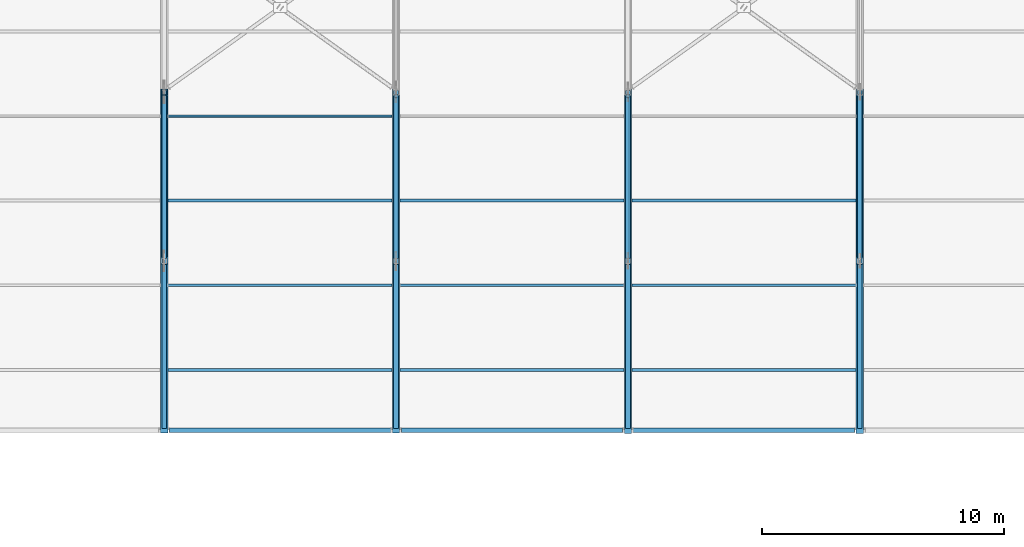
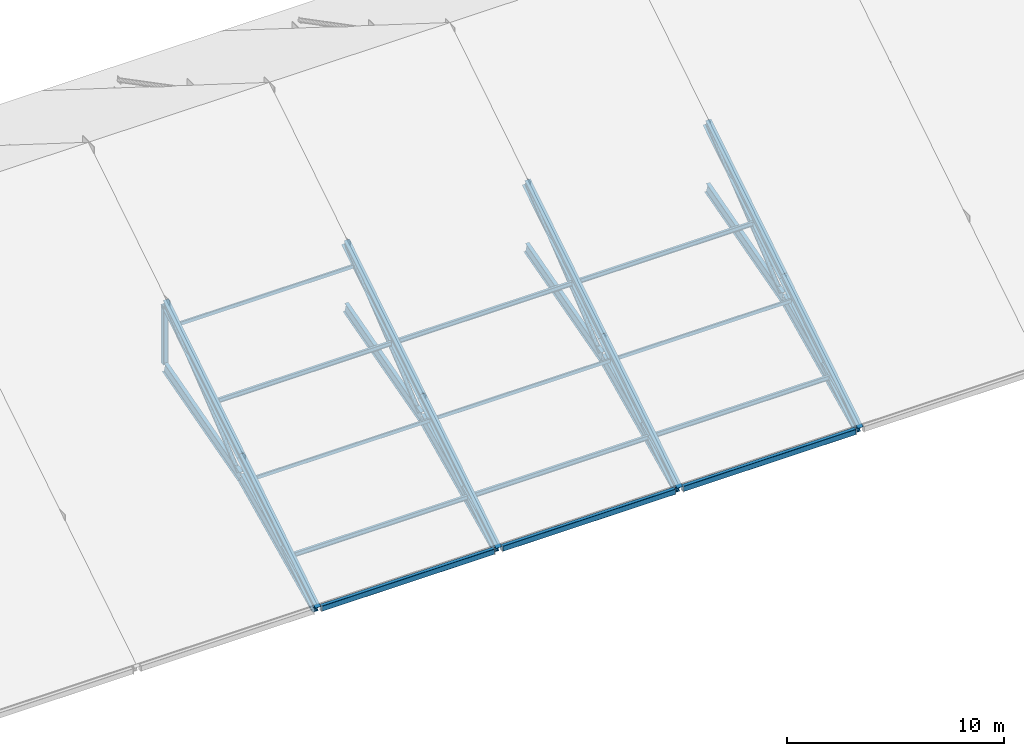
# One storey, part 5 of 66: 23 members, 11 beams.
"""IFC4 building model written with IfcOpenShell, lengths in metres."""

from ifc_helpers import new_model, si_unit, direction, frame, origin, origin_2d, place, context, subcontext, project, spatial, hollow_rectangle, hollow_circle, i_section, extrude, material, material_profile, profile_set, type_object, element, save


model = new_model("IFC4")

# Units and contexts
model_context = context("Model", 3, precision=1e-05, world=origin(), true_north=direction((0.0, 1.0)))
body_context = subcontext(model_context, "Body", "Model", "MODEL_VIEW")
ifc_project = project(units=[si_unit("LENGTHUNIT", "METRE"), si_unit("AREAUNIT", "SQUARE_METRE"), si_unit("VOLUMEUNIT", "CUBIC_METRE"), si_unit("PLANEANGLEUNIT", "RADIAN"), si_unit("MASSUNIT", "GRAM", prefix="KILO")], contexts=[model_context])

# Site, building, storey
site_placement = place(None, origin())
site = spatial("IfcSite", under=ifc_project, at=site_placement, CompositionType="ELEMENT")
building_placement = place(site_placement, origin())
building = spatial("IfcBuilding", under=site, at=building_placement, Name="Yeouljin Market Hall", CompositionType="ELEMENT")
storey_placement = place(building_placement, frame((0.0, 0.0, 23.39990234375)))
storey = spatial("IfcBuildingStorey", under=building, at=storey_placement, Name="RF", CompositionType="ELEMENT", Elevation=23.39990234375)

# Beams
ifc_material_1 = material(Name="Steel SM355", Category="steel")
ifc_material_profile_1 = material_profile(ifc_material_1, i_section(OverallWidth=0.199951171875, OverallDepth=0.60009765625, WebThickness=0.010986328125, FlangeThickness=0.01708984375, FilletRadius=0.02197265625, at=origin_2d()), Name="H-600x200x11x17")
ifc_profile_set_1 = profile_set([ifc_material_profile_1], Name="Steel SM355")
beam_type_1 = type_object("IfcBeamType", Name="Beam_H-600x200x11x17", PredefinedType="BEAM", material=ifc_profile_set_1)
beam_1_placement = place(storey_placement, frame((64.199951171875, 36.199951171875, -12.2998046875), z_axis=(0.0, 0.903192091176, 0.429236585623), x_axis=(-1.0, 0.0, 0.0)))
element("IfcBeam", 1, at=beam_1_placement, inside=storey, type_object=beam_type_1, Name="Truss AT-04 arch rib 1", PredefinedType="BEAM", context=body_context, shape_type="SweptSolid", body=[
    extrude(i_section(OverallWidth=0.199951171875, OverallDepth=0.60009765625, WebThickness=0.010986328125, FlangeThickness=0.01708984375, FilletRadius=0.02197265625, at=origin_2d()), origin(), (0.0, 0.0, 1.0), 7.5068359375),
])
beam_2_placement = place(storey_placement, frame((64.199951171875, 43.02001953125, -9.07763671875), z_axis=(0.0, 0.963516941196, 0.267647350124), x_axis=(-1.0, 0.0, 0.0)))
element("IfcBeam", 2, at=beam_2_placement, inside=storey, type_object=beam_type_1, Name="Truss AT-04 arch rib 2", PredefinedType="BEAM", context=body_context, shape_type="SweptSolid", body=[
    extrude(i_section(OverallWidth=0.199951171875, OverallDepth=0.60009765625, WebThickness=0.010986328125, FlangeThickness=0.01708984375, FilletRadius=0.02197265625, at=origin_2d()), origin(), (0.0, 0.0, 1.0), 7.223388671875),
])
beam_3_placement = place(storey_placement, frame((73.800048828125, 36.199951171875, -12.2998046875), z_axis=(0.0, 0.903192091176, 0.429236585623), x_axis=(-1.0, 0.0, 0.0)))
element("IfcBeam", 3, at=beam_3_placement, inside=storey, type_object=beam_type_1, Name="Truss AT-05 arch rib 1", PredefinedType="BEAM", context=body_context, shape_type="SweptSolid", body=[
    extrude(i_section(OverallWidth=0.199951171875, OverallDepth=0.60009765625, WebThickness=0.010986328125, FlangeThickness=0.01708984375, FilletRadius=0.02197265625, at=origin_2d()), origin(), (0.0, 0.0, 1.0), 7.5068359375),
])
beam_4_placement = place(storey_placement, frame((73.800048828125, 43.02001953125, -9.07763671875), z_axis=(0.0, 0.963516941196, 0.267647350124), x_axis=(-1.0, 0.0, 0.0)))
element("IfcBeam", 4, at=beam_4_placement, inside=storey, type_object=beam_type_1, Name="Truss AT-05 arch rib 2", PredefinedType="BEAM", context=body_context, shape_type="SweptSolid", body=[
    extrude(i_section(OverallWidth=0.199951171875, OverallDepth=0.60009765625, WebThickness=0.010986328125, FlangeThickness=0.01708984375, FilletRadius=0.02197265625, at=origin_2d()), origin(), (0.0, 0.0, 1.0), 7.223388671875),
])
beam_5_placement = place(storey_placement, frame((83.39990234375, 36.199951171875, -12.2998046875), z_axis=(0.0, 0.903192091176, 0.429236585623), x_axis=(-1.0, 0.0, 0.0)))
element("IfcBeam", 5, at=beam_5_placement, inside=storey, type_object=beam_type_1, Name="Truss AT-06 arch rib 1", PredefinedType="BEAM", context=body_context, shape_type="SweptSolid", body=[
    extrude(i_section(OverallWidth=0.199951171875, OverallDepth=0.60009765625, WebThickness=0.010986328125, FlangeThickness=0.01708984375, FilletRadius=0.02197265625, at=origin_2d()), origin(), (0.0, 0.0, 1.0), 7.5068359375),
])
beam_6_placement = place(storey_placement, frame((83.39990234375, 43.02001953125, -9.07763671875), z_axis=(0.0, 0.963516941196, 0.267647350124), x_axis=(-1.0, 0.0, 0.0)))
element("IfcBeam", 6, at=beam_6_placement, inside=storey, type_object=beam_type_1, Name="Truss AT-06 arch rib 2", PredefinedType="BEAM", context=body_context, shape_type="SweptSolid", body=[
    extrude(i_section(OverallWidth=0.199951171875, OverallDepth=0.60009765625, WebThickness=0.010986328125, FlangeThickness=0.01708984375, FilletRadius=0.02197265625, at=origin_2d()), origin(), (0.0, 0.0, 1.0), 7.223388671875),
])
beam_7_placement = place(storey_placement, frame((93.0, 36.199951171875, -12.2998046875), z_axis=(0.0, 0.903192091176, 0.429236585623), x_axis=(-1.0, 0.0, 0.0)))
element("IfcBeam", 7, at=beam_7_placement, inside=storey, type_object=beam_type_1, Name="Truss AT-07 arch rib 1", PredefinedType="BEAM", context=body_context, shape_type="SweptSolid", body=[
    extrude(i_section(OverallWidth=0.199951171875, OverallDepth=0.60009765625, WebThickness=0.010986328125, FlangeThickness=0.01708984375, FilletRadius=0.02197265625, at=origin_2d()), origin(), (0.0, 0.0, 1.0), 7.5068359375),
])
beam_8_placement = place(storey_placement, frame((93.0, 43.02001953125, -9.07763671875), z_axis=(0.0, 0.963516941196, 0.267647350124), x_axis=(-1.0, 0.0, 0.0)))
element("IfcBeam", 8, at=beam_8_placement, inside=storey, type_object=beam_type_1, Name="Truss AT-07 arch rib 2", PredefinedType="BEAM", context=body_context, shape_type="SweptSolid", body=[
    extrude(i_section(OverallWidth=0.199951171875, OverallDepth=0.60009765625, WebThickness=0.010986328125, FlangeThickness=0.01708984375, FilletRadius=0.02197265625, at=origin_2d()), origin(), (0.0, 0.0, 1.0), 7.223388671875),
])
ifc_material_2 = material(Name="Steel SM355", Category="steel")
ifc_material_profile_2 = material_profile(ifc_material_2, hollow_rectangle(XDim=0.199951171875, YDim=0.300048828125, WallThickness=0.009033203125, InnerFilletRadius=0.009033203125, OuterFilletRadius=0.01611328125, at=origin_2d()), Name="RHS-300x200x9")
ifc_profile_set_2 = profile_set([ifc_material_profile_2], Name="Steel SM355")
beam_type_2 = type_object("IfcBeamType", Name="Beam_RHS-300x200x9", PredefinedType="BEAM", material=ifc_profile_set_2)
for number, where, z_axis, x_axis, name in (
    (9, (64.416015625, 36.0, -12.27978515625), (1.0, 0.0, 0.0), (0.0, 1.0, 0.0), "Hall eaves girder S04"),
    (10, (74.01611328125, 36.0, -12.27978515625), (1.0, 0.0, 0.0), (0.0, 1.0, 0.0), "Hall eaves girder S05"),
    (11, (83.615966796875, 36.0, -12.27978515625), (1.0, 0.0, 0.0), (0.0, 1.0, 0.0), "Hall eaves girder S06"),
):
    element("IfcBeam", number, at=place(storey_placement, frame(where, z_axis=z_axis, x_axis=x_axis)), inside=storey, type_object=beam_type_2, Name=name, PredefinedType="BEAM", context=body_context, shape_type="SweptSolid", body=[
        extrude(hollow_rectangle(XDim=0.199951171875, YDim=0.300048828125, WallThickness=0.009033203125, InnerFilletRadius=0.009033203125, OuterFilletRadius=0.01611328125, at=origin_2d()), origin(), (0.0, 0.0, 1.0), 9.16796875),
    ])

# Members
ifc_material_3 = material(Name="Steel SM355", Category="steel")
ifc_material_profile_3 = material_profile(ifc_material_3, hollow_circle(Radius=0.108154296875, WallThickness=0.008056640625, at=origin_2d()), Name="CHS-216.3x8")
ifc_profile_set_3 = profile_set([ifc_material_profile_3], Name="Steel SM355")
member_type_1 = type_object("IfcMemberType", Name="Brace_CHS-216.3x8", PredefinedType="BRACE", material=ifc_profile_set_3)
for number, where, z_axis, x_axis, name in (
    (12, (64.199951171875, 43.172119140625, -8.940673828125), (0.0, 0.782065231413, 0.623196577185), (-1.0, 0.0, 0.0), "Truss AT-04 web diagonal 2"),
    (13, (73.800048828125, 43.172119140625, -8.940673828125), (0.0, 0.782065231413, 0.623196577185), (-1.0, 0.0, 0.0), "Truss AT-05 web diagonal 2"),
    (14, (83.39990234375, 43.172119140625, -8.940673828125), (0.0, 0.782065231413, 0.623196577185), (-1.0, 0.0, 0.0), "Truss AT-06 web diagonal 2"),
    (15, (93.0, 43.172119140625, -8.940673828125), (0.0, 0.782065231413, 0.623196577185), (-1.0, 0.0, 0.0), "Truss AT-07 web diagonal 2"),
):
    element("IfcMember", number, at=place(storey_placement, frame(where, z_axis=z_axis, x_axis=x_axis)), inside=storey, type_object=member_type_1, Name=name, PredefinedType="BRACE", context=body_context, shape_type="SweptSolid", body=[
        extrude(hollow_circle(Radius=0.108154296875, WallThickness=0.008056640625, at=origin_2d()), origin(), (0.0, 0.0, 1.0), 8.510498046875),
    ])
ifc_material_4 = material(Name="Steel SM355", Category="steel")
ifc_material_profile_4 = material_profile(ifc_material_4, i_section(OverallWidth=0.300048828125, OverallDepth=0.43994140625, WebThickness=0.010986328125, FlangeThickness=0.01806640625, FilletRadius=0.02001953125, at=origin_2d()), Name="H-440x300x11x18")
ifc_profile_set_4 = profile_set([ifc_material_profile_4], Name="Steel SM355")
member_type_2 = type_object("IfcMemberType", Name="Chord_H-440x300x11x18", PredefinedType="CHORD", material=ifc_profile_set_4)
for number, where, z_axis, x_axis, name in (
    (16, (64.199951171875, 36.0, -12.2998046875), (0.0, 0.846641870869, 0.53216307885), (-1.0, 0.0, 0.0), "Truss AT-04 top chord 1"),
    (17, (64.199951171875, 43.0, -7.89990234375), (0.0, 0.846641870869, 0.53216307885), (-1.0, 0.0, 0.0), "Truss AT-04 top chord 2"),
    (18, (73.800048828125, 36.0, -12.2998046875), (0.0, 0.846641870869, 0.53216307885), (-1.0, 0.0, 0.0), "Truss AT-05 top chord 1"),
    (19, (73.800048828125, 43.0, -7.89990234375), (0.0, 0.846641870869, 0.53216307885), (-1.0, 0.0, 0.0), "Truss AT-05 top chord 2"),
):
    element("IfcMember", number, at=place(storey_placement, frame(where, z_axis=z_axis, x_axis=x_axis)), inside=storey, type_object=member_type_2, Name=name, PredefinedType="CHORD", context=body_context, shape_type="SweptSolid", body=[
        extrude(i_section(OverallWidth=0.300048828125, OverallDepth=0.43994140625, WebThickness=0.010986328125, FlangeThickness=0.01806640625, FilletRadius=0.02001953125, at=origin_2d()), origin(), (0.0, 0.0, 1.0), 8.26806640625),
    ])
ifc_material_5 = material(Name="Steel SM355", Category="steel")
ifc_material_profile_5 = material_profile(ifc_material_5, i_section(OverallWidth=0.300048828125, OverallDepth=0.488037109375, WebThickness=0.010986328125, FlangeThickness=0.01806640625, FilletRadius=0.02197265625, at=origin_2d()), Name="H-488x300x11x18")
ifc_profile_set_5 = profile_set([ifc_material_profile_5], Name="Steel SM355")
member_type_3 = type_object("IfcMemberType", Name="Chord_H-488x300x11x18", PredefinedType="CHORD", material=ifc_profile_set_5)
for number, where, z_axis, x_axis, name in (
    (20, (83.39990234375, 36.0, -12.2998046875), (0.0, 0.846641870869, 0.53216307885), (-1.0, 0.0, 0.0), "Truss AT-06 top chord 1"),
    (21, (83.39990234375, 43.0, -7.89990234375), (0.0, 0.846641870869, 0.53216307885), (-1.0, 0.0, 0.0), "Truss AT-06 top chord 2"),
    (22, (93.0, 36.0, -12.2998046875), (0.0, 0.846641870869, 0.53216307885), (-1.0, 0.0, 0.0), "Truss AT-07 top chord 1"),
    (23, (93.0, 43.0, -7.89990234375), (0.0, 0.846641870869, 0.53216307885), (-1.0, 0.0, 0.0), "Truss AT-07 top chord 2"),
):
    element("IfcMember", number, at=place(storey_placement, frame(where, z_axis=z_axis, x_axis=x_axis)), inside=storey, type_object=member_type_3, Name=name, PredefinedType="CHORD", context=body_context, shape_type="SweptSolid", body=[
        extrude(i_section(OverallWidth=0.300048828125, OverallDepth=0.488037109375, WebThickness=0.010986328125, FlangeThickness=0.01806640625, FilletRadius=0.02197265625, at=origin_2d()), origin(), (0.0, 0.0, 1.0), 8.26806640625),
    ])
ifc_material_6 = material(Name="Steel SM355", Category="steel")
ifc_material_profile_6 = material_profile(ifc_material_6, i_section(OverallWidth=0.125, OverallDepth=0.25, WebThickness=0.006103515625, FlangeThickness=0.009033203125, FilletRadius=0.011962890625, at=origin_2d()), Name="H-250x125x6x9")
ifc_profile_set_6 = profile_set([ifc_material_profile_6], Name="Steel SM355")
member_type_4 = type_object("IfcMemberType", Name="Purlin_H-250x125x6x9", PredefinedType="PURLIN", material=ifc_profile_set_6)
for number, where, z_axis, x_axis, name in (
    (24, (64.365966796875, 38.5, -10.80859375), (1.0, 0.0, 0.0), (0.0, 1.0, 0.0), "Nave roof purlin 037"),
    (25, (64.365966796875, 45.5, -6.408447265625), (1.0, 0.0, 0.0), (0.0, 1.0, 0.0), "Nave roof purlin 039"),
):
    element("IfcMember", number, at=place(storey_placement, frame(where, z_axis=z_axis, x_axis=x_axis)), inside=storey, type_object=member_type_4, Name=name, PredefinedType="PURLIN", context=body_context, shape_type="SweptSolid", body=[
        extrude(i_section(OverallWidth=0.125, OverallDepth=0.25, WebThickness=0.006103515625, FlangeThickness=0.009033203125, FilletRadius=0.011962890625, at=origin_2d()), origin(), (0.0, 0.0, 1.0), 9.26806640625),
    ])
for number, where, z_axis, x_axis, name in (
    (26, (73.966064453125, 38.5, -10.80859375), (1.0, 0.0, 0.0), (0.0, 1.0, 0.0), "Nave roof purlin 049"),
    (27, (73.966064453125, 45.5, -6.408447265625), (1.0, 0.0, 0.0), (0.0, 1.0, 0.0), "Nave roof purlin 051"),
):
    element("IfcMember", number, at=place(storey_placement, frame(where, z_axis=z_axis, x_axis=x_axis)), inside=storey, type_object=member_type_4, Name=name, PredefinedType="PURLIN", context=body_context, shape_type="SweptSolid", body=[
        extrude(i_section(OverallWidth=0.125, OverallDepth=0.25, WebThickness=0.006103515625, FlangeThickness=0.009033203125, FilletRadius=0.011962890625, at=origin_2d()), origin(), (0.0, 0.0, 1.0), 9.267822265625),
    ])
for number, where, z_axis, x_axis, name in (
    (28, (83.56591796875, 38.5, -10.80859375), (1.0, 0.0, 0.0), (0.0, 1.0, 0.0), "Nave roof purlin 061"),
    (29, (83.56591796875, 45.5, -6.408447265625), (1.0, 0.0, 0.0), (0.0, 1.0, 0.0), "Nave roof purlin 063"),
):
    element("IfcMember", number, at=place(storey_placement, frame(where, z_axis=z_axis, x_axis=x_axis)), inside=storey, type_object=member_type_4, Name=name, PredefinedType="PURLIN", context=body_context, shape_type="SweptSolid", body=[
        extrude(i_section(OverallWidth=0.125, OverallDepth=0.25, WebThickness=0.006103515625, FlangeThickness=0.009033203125, FilletRadius=0.011962890625, at=origin_2d()), origin(), (0.0, 0.0, 1.0), 9.26806640625),
    ])
ifc_material_7 = material(Name="Steel SS275", Category="steel")
ifc_material_profile_7 = material_profile(ifc_material_7, hollow_rectangle(XDim=0.10009765625, YDim=0.199951171875, WallThickness=0.006103515625, InnerFilletRadius=0.006103515625, OuterFilletRadius=0.011962890625, at=origin_2d()), Name="RHS-200x100x6")
ifc_profile_set_7 = profile_set([ifc_material_profile_7], Name="Steel SS275")
member_type_5 = type_object("IfcMemberType", Name="Purlin_RHS-200x100x6", PredefinedType="PURLIN", material=ifc_profile_set_7)
for number, where, z_axis, x_axis, name in (
    (30, (64.365966796875, 42.0, -8.6083984375), (1.0, 0.0, 0.0), (0.0, 1.0, 0.0), "Nave roof purlin 038"),
    (31, (64.365966796875, 49.0, -4.20849609375), (1.0, 0.0, 0.0), (0.0, 1.0, 0.0), "Nave roof purlin 040"),
):
    element("IfcMember", number, at=place(storey_placement, frame(where, z_axis=z_axis, x_axis=x_axis)), inside=storey, type_object=member_type_5, Name=name, PredefinedType="PURLIN", context=body_context, shape_type="SweptSolid", body=[
        extrude(hollow_rectangle(XDim=0.10009765625, YDim=0.199951171875, WallThickness=0.006103515625, InnerFilletRadius=0.006103515625, OuterFilletRadius=0.011962890625, at=origin_2d()), origin(), (0.0, 0.0, 1.0), 9.26806640625),
    ])
member_1_placement = place(storey_placement, frame((73.966064453125, 42.0, -8.6083984375), z_axis=(1.0, 0.0, 0.0), x_axis=(0.0, 1.0, 0.0)))
element("IfcMember", 32, at=member_1_placement, inside=storey, type_object=member_type_5, Name="Nave roof purlin 050", PredefinedType="PURLIN", context=body_context, shape_type="SweptSolid", body=[
    extrude(hollow_rectangle(XDim=0.10009765625, YDim=0.199951171875, WallThickness=0.006103515625, InnerFilletRadius=0.006103515625, OuterFilletRadius=0.011962890625, at=origin_2d()), origin(), (0.0, 0.0, 1.0), 9.267822265625),
])
member_2_placement = place(storey_placement, frame((83.56591796875, 42.0, -8.6083984375), z_axis=(1.0, 0.0, 0.0), x_axis=(0.0, 1.0, 0.0)))
element("IfcMember", 33, at=member_2_placement, inside=storey, type_object=member_type_5, Name="Nave roof purlin 062", PredefinedType="PURLIN", context=body_context, shape_type="SweptSolid", body=[
    extrude(hollow_rectangle(XDim=0.10009765625, YDim=0.199951171875, WallThickness=0.006103515625, InnerFilletRadius=0.006103515625, OuterFilletRadius=0.011962890625, at=origin_2d()), origin(), (0.0, 0.0, 1.0), 9.26806640625),
])
ifc_material_8 = material(Name="Steel SM355", Category="steel")
ifc_material_profile_8 = material_profile(ifc_material_8, hollow_rectangle(XDim=0.25, YDim=0.25, WallThickness=0.009033203125, InnerFilletRadius=0.009033203125, OuterFilletRadius=0.01611328125, at=origin_2d()), Name="SHS-250x250x9")
ifc_profile_set_8 = profile_set([ifc_material_profile_8], Name="Steel SM355")
member_type_6 = type_object("IfcMemberType", Name="Strut_SHS-250x250x9", PredefinedType="STRUT", material=ifc_profile_set_8)
member_3_placement = place(storey_placement, frame((64.199951171875, 50.0, -6.96435546875), z_axis=(0.0, 0.0, 1.0), x_axis=(1.0, 0.0, 0.0)))
element("IfcMember", 34, at=member_3_placement, inside=storey, type_object=member_type_6, Name="Truss AT-04 vertical strut 2", PredefinedType="STRUT", context=body_context, shape_type="SweptSolid", body=[
    extrude(hollow_rectangle(XDim=0.25, YDim=0.25, WallThickness=0.009033203125, InnerFilletRadius=0.009033203125, OuterFilletRadius=0.01611328125, at=origin_2d()), origin(), (0.0, 0.0, 1.0), 3.284423828125),
])

save(model, "model.ifc")
